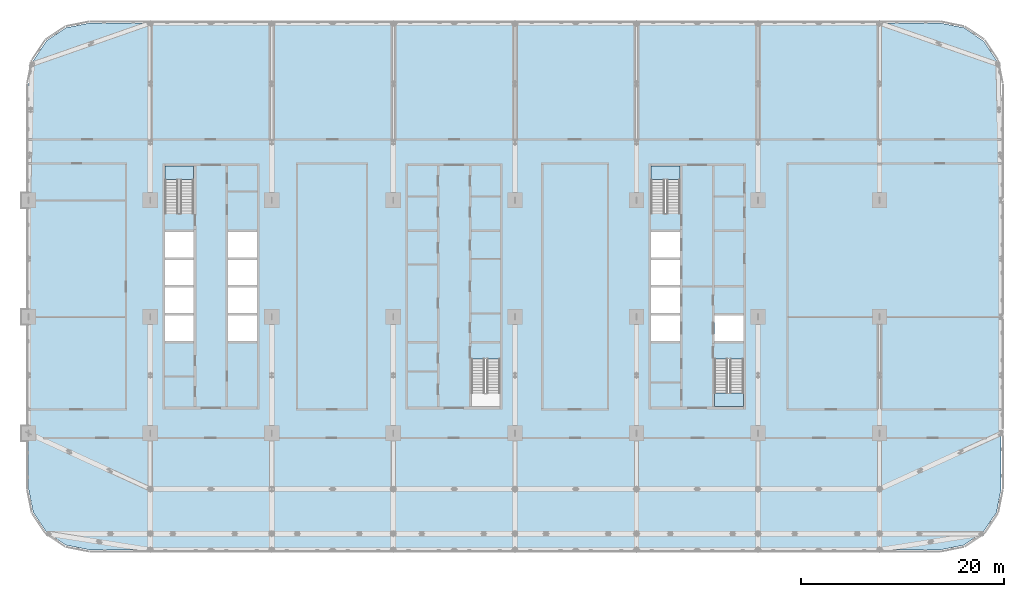
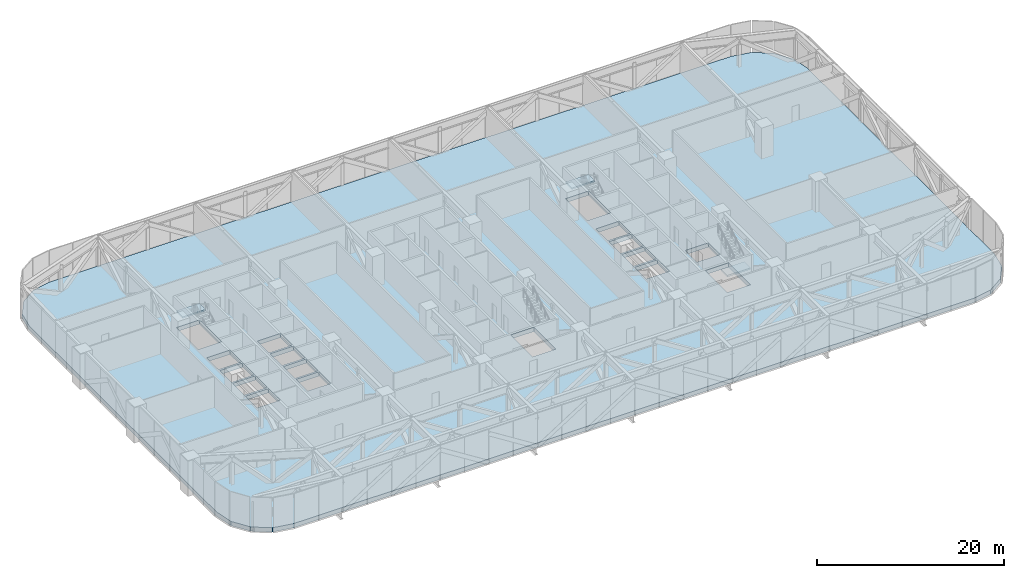
# One storey, part 9 of 26: 4 slabs, 3 elements without a shape of their own.
"""IFC4 building model written with IfcOpenShell, lengths in metres."""

from ifc_helpers import new_model, si_unit, direction, frame, origin, place, context, subcontext, project, spatial, polyline, outline, extrude, material, layer, layer_set, type_object, element, aggregate, save


model = new_model("IFC4")

# Units and contexts
model_context = context("Model", 3, precision=1e-05, world=origin(), true_north=direction((0.0, 1.0)))
body_context = subcontext(model_context, "Body", "Model", "MODEL_VIEW")
ifc_project = project(units=[si_unit("LENGTHUNIT", "METRE"), si_unit("AREAUNIT", "SQUARE_METRE"), si_unit("VOLUMEUNIT", "CUBIC_METRE"), si_unit("PLANEANGLEUNIT", "RADIAN"), si_unit("MASSUNIT", "GRAM", prefix="KILO")], contexts=[model_context])

# Site, building, storey
site_placement = place(None, origin())
site = spatial("IfcSite", under=ifc_project, at=site_placement, CompositionType="ELEMENT")
building_placement = place(site_placement, origin())
building = spatial("IfcBuilding", under=site, at=building_placement, Name="Mahtab Terrace Research Tower", CompositionType="ELEMENT")
storey_placement = place(building_placement, frame((0.0, 0.0, 80.39990234375)))
storey = spatial("IfcBuildingStorey", under=building, at=storey_placement, Name="L18", CompositionType="ELEMENT", Elevation=80.39990234375)

# Stair, slab
ifc_material_1 = material(Name="Exit stair half-turn")
stair_type = type_object("IfcStairType", Name="Exit stair half-turn", PredefinedType="HALF_TURN_STAIR", material=ifc_material_1)
stair_1_placement = place(storey_placement, origin())
stair_1 = element("IfcStair", 1, at=stair_1_placement, inside=storey, type_object=stair_type, Name="L18 Protected exit stair ST1", PredefinedType="HALF_TURN_STAIR")
ifc_material_2 = material(Name="Concrete C40/50", Category="concrete")
ifc_layer_1 = layer(ifc_material_2, 0.199951171875)
ifc_layer_set_1 = layer_set([ifc_layer_1], Name="Exit stair landing 200")
slab_type_1 = type_object("IfcSlabType", Name="Exit stair landing 200", PredefinedType="LANDING", material=ifc_layer_set_1)
slab_1_placement = place(storey_placement, frame((0.0, 0.0, 2.0)))
slab_1 = element("IfcSlab", 2, at=slab_1_placement, type_object=slab_type_1, Name="ST1 landing 1", PredefinedType="LANDING", context=body_context, shape_type="SweptSolid", body=[
    extrude(outline(polyline([(-25.699951171875, 13.534912109375), (-25.699951171875, 14.875), (-28.550048828125, 14.875), (-28.550048828125, 13.534912109375), (-25.699951171875, 13.534912109375)])), origin(), (0.0, 0.0, 1.0), 0.2001953125),
])
aggregate(stair_1, [slab_1])

stair_2_placement = place(storey_placement, origin())
stair_2 = element("IfcStair", 3, at=stair_2_placement, inside=storey, type_object=stair_type, Name="L18 Protected exit stair ST3", PredefinedType="HALF_TURN_STAIR")
slab_2_placement = place(storey_placement, frame((0.0, 0.0, 2.0)))
slab_2 = element("IfcSlab", 4, at=slab_2_placement, type_object=slab_type_1, Name="ST3 landing 1", PredefinedType="LANDING", context=body_context, shape_type="SweptSolid", body=[
    extrude(outline(polyline([(22.300048828125, 13.534912109375), (22.300048828125, 14.875), (19.449951171875, 14.875), (19.449951171875, 13.534912109375), (22.300048828125, 13.534912109375)])), origin(), (0.0, 0.0, 1.0), 0.2001953125),
])
aggregate(stair_2, [slab_2])

stair_3_placement = place(storey_placement, origin())
stair_3 = element("IfcStair", 5, at=stair_3_placement, inside=storey, type_object=stair_type, Name="L18 Protected exit stair ST4", PredefinedType="HALF_TURN_STAIR")
slab_3_placement = place(storey_placement, frame((0.0, 0.0, 2.0)))
slab_3 = element("IfcSlab", 6, at=slab_3_placement, type_object=slab_type_1, Name="ST4 landing 1", PredefinedType="LANDING", context=body_context, shape_type="SweptSolid", body=[
    extrude(outline(polyline([(25.699951171875, -7.534912109375), (25.699951171875, -8.875), (28.550048828125, -8.875), (28.550048828125, -7.534912109375), (25.699951171875, -7.534912109375)])), origin(), (0.0, 0.0, 1.0), 0.2001953125),
])
aggregate(stair_3, [slab_3])

# Slab
ifc_layer_2 = layer(ifc_material_2, 0.550048828125)
ifc_layer_set_2 = layer_set([ifc_layer_2], Name="PT transfer slab 550")
slab_type_2 = type_object("IfcSlabType", Name="PT transfer slab 550", PredefinedType="FLOOR", material=ifc_layer_set_2)
slab_4_placement = place(storey_placement, frame((0.0, 0.0, -0.5498046875)))
element("IfcSlab", 7, at=slab_4_placement, inside=storey, type_object=slab_type_2, Name="Floor slab L18", PredefinedType="FLOOR", context=body_context, shape_type="SweptSolid", body=[
    extrude(outline(polyline([(54.0, 17.0), (54.0, 23.0), (53.54296875, 25.2958984375), (52.242919921875, 27.242919921875), (50.2958984375, 28.54296875), (48.0, 29.0), (-36.0, 29.0), (-38.2958984375, 28.54296875), (-40.242919921875, 27.242919921875), (-41.54296875, 25.2958984375), (-42.0, 23.0), (-42.0, 17.0), (-42.0, -11.0), (-42.0, -17.0), (-41.54296875, -19.2958984375), (-40.242919921875, -21.242919921875), (-38.2958984375, -22.54296875), (-36.0, -23.0), (48.0, -23.0), (50.2958984375, -22.54296875), (52.242919921875, -21.242919921875), (53.54296875, -19.2958984375), (54.0, -17.0), (54.0, -11.0), (54.0, 17.0)]), holes=[polyline([(-28.550048828125, -2.375), (-28.550048828125, 0.125), (-25.699951171875, 0.125), (-25.699951171875, -2.375), (-28.550048828125, -2.375)]), polyline([(-22.300048828125, -2.375), (-22.300048828125, 0.125), (-19.449951171875, 0.125), (-19.449951171875, -2.375), (-22.300048828125, -2.375)]), polyline([(-28.550048828125, 0.375), (-28.550048828125, 2.875), (-25.699951171875, 2.875), (-25.699951171875, 0.375), (-28.550048828125, 0.375)]), polyline([(-22.300048828125, 0.375), (-22.300048828125, 2.875), (-19.449951171875, 2.875), (-19.449951171875, 0.375), (-22.300048828125, 0.375)]), polyline([(-28.550048828125, 3.125), (-28.550048828125, 5.625), (-25.699951171875, 5.625), (-25.699951171875, 3.125), (-28.550048828125, 3.125)]), polyline([(-22.300048828125, 3.125), (-22.300048828125, 5.625), (-19.449951171875, 5.625), (-19.449951171875, 3.125), (-22.300048828125, 3.125)]), polyline([(-28.550048828125, 5.875), (-28.550048828125, 8.375), (-25.699951171875, 8.375), (-25.699951171875, 5.875), (-28.550048828125, 5.875)]), polyline([(-22.300048828125, 5.875), (-22.300048828125, 8.375), (-19.449951171875, 8.375), (-19.449951171875, 5.875), (-22.300048828125, 5.875)]), polyline([(-28.550048828125, 10.177001953125), (-28.550048828125, 14.875), (-25.699951171875, 14.875), (-25.699951171875, 10.177001953125), (-28.550048828125, 10.177001953125)]), polyline([(1.699951171875, -8.875), (1.699951171875, -4.177001953125), (4.550048828125, -4.177001953125), (4.550048828125, -8.875), (1.699951171875, -8.875)]), polyline([(25.699951171875, -8.875), (25.699951171875, -4.177001953125), (28.550048828125, -4.177001953125), (28.550048828125, -8.875), (25.699951171875, -8.875)]), polyline([(19.449951171875, -2.375), (19.449951171875, 0.125), (22.300048828125, 0.125), (22.300048828125, -2.375), (19.449951171875, -2.375)]), polyline([(25.699951171875, -2.375), (25.699951171875, 0.125), (28.550048828125, 0.125), (28.550048828125, -2.375), (25.699951171875, -2.375)]), polyline([(19.449951171875, 0.375), (19.449951171875, 2.875), (22.300048828125, 2.875), (22.300048828125, 0.375), (19.449951171875, 0.375)]), polyline([(19.449951171875, 3.125), (19.449951171875, 5.625), (22.300048828125, 5.625), (22.300048828125, 3.125), (19.449951171875, 3.125)]), polyline([(19.449951171875, 8.375), (22.300048828125, 8.375), (22.300048828125, 5.875), (19.449951171875, 5.875), (19.449951171875, 8.375)]), polyline([(19.449951171875, 14.875), (22.300048828125, 14.875), (22.300048828125, 10.177001953125), (19.449951171875, 10.177001953125), (19.449951171875, 14.875)])]), origin(), (0.0, 0.0, 1.0), 0.5498046875),
])

save(model, "model.ifc")
